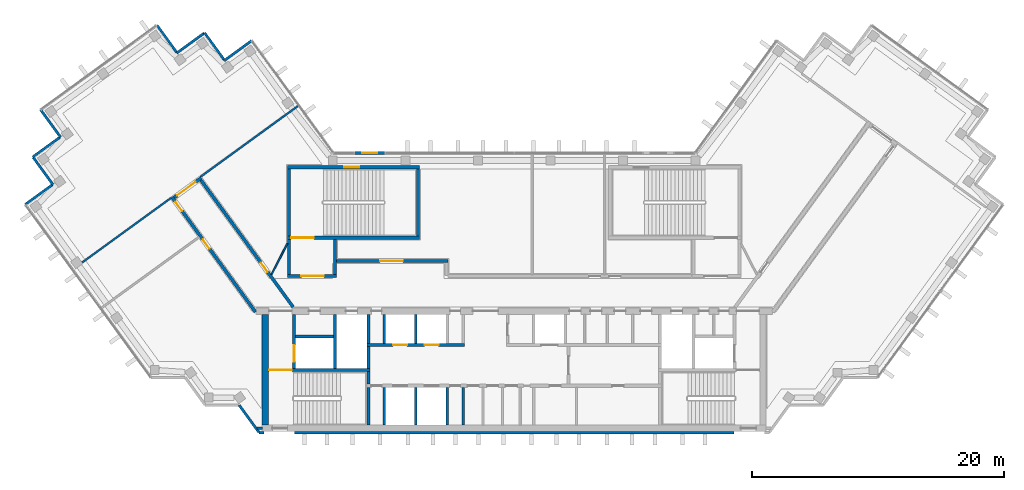
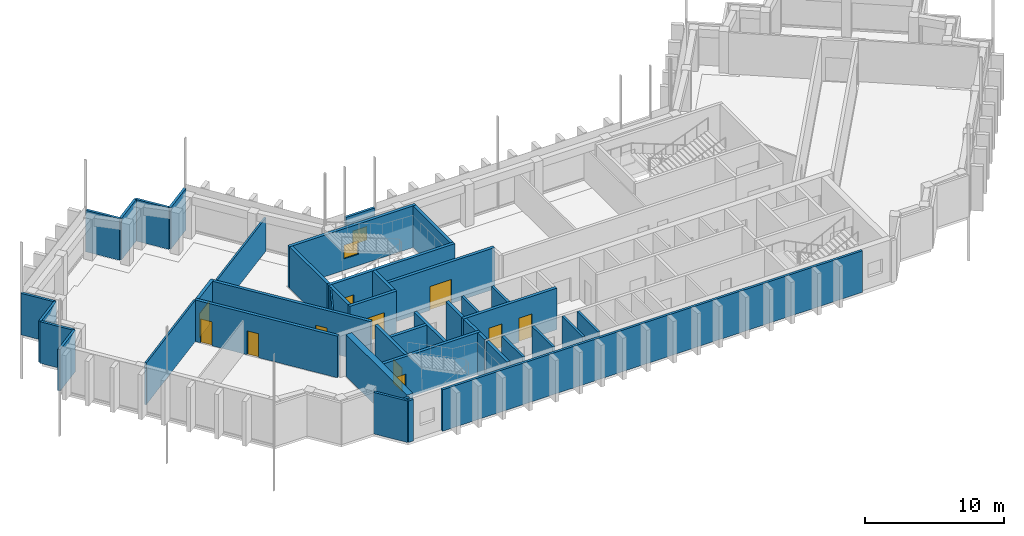
# One storey, part 8 of 13: 43 walls, 11 doors, 2 windows, 13 openings.
"""IFC4 building model written with IfcOpenShell, lengths in metres."""

from ifc_helpers import new_model, si_unit, direction, frame, frame_2d, origin, place, context, subcontext, project, spatial, rectangle, extrude, material, layer, layer_set, type_object, element, fill, save


model = new_model("IFC4")

# Units and contexts
model_context = context("Model", 3, precision=1e-05, world=origin(), true_north=direction((0.0, 1.0)))
body_context = subcontext(model_context, "Body", "Model", "MODEL_VIEW")
ifc_project = project(units=[si_unit("LENGTHUNIT", "METRE"), si_unit("AREAUNIT", "SQUARE_METRE"), si_unit("VOLUMEUNIT", "CUBIC_METRE"), si_unit("PLANEANGLEUNIT", "RADIAN"), si_unit("MASSUNIT", "GRAM", prefix="KILO")], contexts=[model_context])

# Site, building, storey
site_placement = place(None, origin())
site = spatial("IfcSite", under=ifc_project, at=site_placement, CompositionType="ELEMENT")
building_placement = place(site_placement, origin())
building = spatial("IfcBuilding", under=site, at=building_placement, Name="Quipu Civic Tower", CompositionType="ELEMENT")
storey_placement = place(building_placement, frame((0.0, 0.0, 285.0)))
storey = spatial("IfcBuildingStorey", under=building, at=storey_placement, Name="L66", CompositionType="ELEMENT", Elevation=285.0)

# Walls
ifc_material_1 = material(Name="Double gypsum plasterboard with mineral wool")
ifc_layer_1 = layer(ifc_material_1, 0.14990234375)
ifc_layer_set_1 = layer_set([ifc_layer_1], Name="Double gypsum plasterboard with mineral wool")
wall_type_1 = type_object("IfcWallType", Name="Acoustic partition 150 plasterboard", PredefinedType="PARTITIONING", material=ifc_layer_set_1)
wall_1_placement = place(storey_placement, frame((-17.17236328125, 14.822509765625, 0.0), z_axis=(0.0, 0.0, 1.0), x_axis=(-0.809013490065, -0.587790075531, 0.0)))
element("IfcWall", 1, at=wall_1_placement, inside=storey, type_object=wall_type_1, Name="Partition P02", PredefinedType="PARTITIONING", context=body_context, shape_type="SweptSolid", body=[
    extrude(rectangle(XDim=9.54931640625, YDim=0.14990234375, at=frame_2d((4.774658203125, 0.0))), origin(), (0.0, 0.0, 1.0), 2.949951171875),
])
wall_2_placement = place(storey_placement, frame((-34.291015625, 2.41015625, 0.0), z_axis=(0.0, 0.0, 1.0), x_axis=(0.809027940177, 0.587770186393, 0.0)))
element("IfcWall", 2, at=wall_2_placement, inside=storey, type_object=wall_type_1, Name="Partition P06", PredefinedType="PARTITIONING", context=body_context, shape_type="SweptSolid", body=[
    extrude(rectangle(XDim=8.71484375, YDim=0.14990234375, at=frame_2d((4.357421875, 0.0))), origin(), (0.0, 0.0, 1.0), 3.64990234375),
])
ifc_material_2 = material(Name="Concrete C70/85", Category="concrete")
ifc_layer_2 = layer(ifc_material_2, 0.25)
ifc_layer_set_2 = layer_set([ifc_layer_2], Name="Concrete C70/85")
wall_type_2 = type_object("IfcWallType", Name="Core wall 250", PredefinedType="SHEAR", material=ifc_layer_set_2)
wall_3_placement = place(storey_placement, frame((-11.574951171875, -10.5, 0.0), z_axis=(0.0, 0.0, 1.0), x_axis=(0.0, 1.0, 0.0)))
element("IfcWall", 3, at=wall_3_placement, inside=storey, type_object=wall_type_2, Name="Core wall", PredefinedType="SHEAR", context=body_context, shape_type="SweptSolid", body=[
    extrude(rectangle(XDim=3.0, YDim=0.25, at=frame_2d((1.5, 0.0))), origin(), (0.0, 0.0, 1.0), 3.64990234375),
])
wall_4_placement = place(storey_placement, frame((-11.574951171875, -7.25, 0.0), z_axis=(0.0, 0.0, 1.0), x_axis=(0.0, 1.0, 0.0)))
element("IfcWall", 4, at=wall_4_placement, inside=storey, type_object=wall_type_2, Name="Core wall", PredefinedType="SHEAR", context=body_context, shape_type="SweptSolid", body=[
    extrude(rectangle(XDim=1.0, YDim=0.25, at=frame_2d((0.5, 0.0))), origin(), (0.0, 0.0, 1.0), 3.64990234375),
])

# Wall, opening, door
wall_5_placement = place(storey_placement, frame((-11.449951171875, -6.125, 0.0), z_axis=(0.0, 0.0, 1.0), x_axis=(-1.0, 0.0, 0.0)))
wall_5 = element("IfcWall", 5, at=wall_5_placement, inside=storey, type_object=wall_type_2, Name="Core wall", PredefinedType="SHEAR", context=body_context, shape_type="SweptSolid", body=[
    extrude(rectangle(XDim=8.050048828125, YDim=0.25, at=frame_2d((4.02490234375, 0.0))), origin(), (0.0, 0.0, 1.0), 3.64990234375),
])
opening_1_placement = place(wall_5_placement, frame((6.199951171875, 0.0, 0.0)))
opening_1 = element("IfcOpeningElement", 6, at=opening_1_placement, cuts=wall_5, Name="Opening CD-09", PredefinedType="OPENING", context=body_context, shape_type="SweptSolid", body=[
    extrude(rectangle(XDim=1.800048828125, YDim=2.10009765625, at=frame_2d((0.89990234375, 1.050048828125))), frame((0.0, 0.135009765625, 0.0), z_axis=(0.0, -1.0, 0.0), x_axis=(1.0, 0.0, 0.0)), (0.0, 0.0, 1.0), 0.27001953125),
])
ifc_material_3 = material(Name="Fire rated steel door", Category="steel")
door_type_1 = type_object("IfcDoorType", Name="Fire door FD90 double 1800 x 2100", OperationType="NOTDEFINED", PredefinedType="DOOR", material=ifc_material_3)
door_1_placement = place(opening_1_placement, origin())
door_1 = element("IfcDoor", 7, at=door_1_placement, inside=storey, type_object=door_type_1, Name="Door", OperationType="DOUBLE_DOOR_SINGLE_SWING", OverallHeight=2.10009765625, OverallWidth=1.800048828125, PredefinedType="DOOR", context=body_context, shape_type="SweptSolid", body=[
    extrude(rectangle(XDim=1.800048828125, YDim=2.10009765625, at=frame_2d((0.89990234375, 1.050048828125))), frame((0.0, 0.02490234375, 0.0), z_axis=(0.0, -1.0, 0.0), x_axis=(1.0, 0.0, 0.0)), (0.0, 0.0, 1.0), 0.050048828125),
])
fill(opening_1, door_1)

wall_6_placement = place(storey_placement, frame((-17.47509765625, -6.0, 0.0), z_axis=(0.0, 0.0, 1.0), x_axis=(0.0, 1.0, 0.0)))
wall_6 = element("IfcWall", 8, at=wall_6_placement, inside=storey, type_object=wall_type_2, Name="Core wall", PredefinedType="SHEAR", context=body_context, shape_type="SweptSolid", body=[
    extrude(rectangle(XDim=4.300048828125, YDim=0.25, at=frame_2d((2.14990234375, 0.0))), origin(), (0.0, 0.0, 1.0), 3.64990234375),
])
opening_2_placement = place(wall_6_placement, frame((0.550048828125, 0.0, 0.0)))
opening_2 = element("IfcOpeningElement", 9, at=opening_2_placement, cuts=wall_6, Name="Opening LD-FF1", PredefinedType="OPENING", context=body_context, shape_type="SweptSolid", body=[
    extrude(rectangle(XDim=1.300048828125, YDim=2.10009765625, at=frame_2d((0.64990234375, 1.050048828125))), frame((0.0, 0.135009765625, 0.0), z_axis=(0.0, -1.0, 0.0), x_axis=(1.0, 0.0, 0.0)), (0.0, 0.0, 1.0), 0.27001953125),
])
ifc_material_4 = material(Name="Stainless steel", Category="steel")
door_type_2 = type_object("IfcDoorType", Name="Lift landing door 1300 x 2100", OperationType="DOUBLE_DOOR_SLIDING", PredefinedType="DOOR", material=ifc_material_4)
door_2_placement = place(opening_2_placement, origin())
door_2 = element("IfcDoor", 10, at=door_2_placement, inside=storey, type_object=door_type_2, Name="Landing door FF1", OperationType="DOUBLE_DOOR_SLIDING", OverallHeight=2.10009765625, OverallWidth=1.300048828125, PredefinedType="DOOR", context=body_context, shape_type="SweptSolid", body=[
    extrude(rectangle(XDim=1.300048828125, YDim=2.10009765625, at=frame_2d((0.64990234375, 1.050048828125))), frame((0.0, 0.02490234375, 0.0), z_axis=(0.0, -1.0, 0.0), x_axis=(1.0, 0.0, 0.0)), (0.0, 0.0, 1.0), 0.050048828125),
])
fill(opening_2, door_2)

# Walls
wall_7_placement = place(storey_placement, frame((-14.22509765625, -6.0, 0.0), z_axis=(0.0, 0.0, 1.0), x_axis=(0.0, 1.0, 0.0)))
element("IfcWall", 11, at=wall_7_placement, inside=storey, type_object=wall_type_2, Name="Core wall", PredefinedType="SHEAR", context=body_context, shape_type="SweptSolid", body=[
    extrude(rectangle(XDim=4.300048828125, YDim=0.25, at=frame_2d((2.14990234375, 0.0))), origin(), (0.0, 0.0, 1.0), 3.64990234375),
])
wall_8_placement = place(storey_placement, frame((-11.574951171875, -6.0, 0.0), z_axis=(0.0, 0.0, 1.0), x_axis=(0.0, 1.0, 0.0)))
element("IfcWall", 12, at=wall_8_placement, inside=storey, type_object=wall_type_2, Name="Core wall", PredefinedType="SHEAR", context=body_context, shape_type="SweptSolid", body=[
    extrude(rectangle(XDim=1.75, YDim=0.25, at=frame_2d((0.875, 0.0))), origin(), (0.0, 0.0, 1.0), 3.64990234375),
])

# Wall, openings, doors
wall_9_placement = place(storey_placement, frame((-11.699951171875, -4.125, 0.0), z_axis=(0.0, 0.0, 1.0), x_axis=(1.0, 0.0, 0.0)))
wall_9 = element("IfcWall", 13, at=wall_9_placement, inside=storey, type_object=wall_type_2, Name="Core wall", PredefinedType="SHEAR", context=body_context, shape_type="SweptSolid", body=[
    extrude(rectangle(XDim=7.75, YDim=0.25, at=frame_2d((3.875, 0.0))), origin(), (0.0, 0.0, 1.0), 3.64990234375),
])
opening_3_placement = place(wall_9_placement, frame((2.10009765625, 0.0, 0.0)))
opening_3 = element("IfcOpeningElement", 14, at=opening_3_placement, cuts=wall_9, Name="Opening LD-HL3", PredefinedType="OPENING", context=body_context, shape_type="SweptSolid", body=[
    extrude(rectangle(XDim=1.10009765625, YDim=2.10009765625, at=frame_2d((0.550048828125, 1.050048828125))), frame((0.0, 0.135009765625, 0.0), z_axis=(0.0, -1.0, 0.0), x_axis=(1.0, 0.0, 0.0)), (0.0, 0.0, 1.0), 0.27001953125),
])
opening_4_placement = place(wall_9_placement, frame((4.60009765625, 0.0, 0.0)))
opening_4 = element("IfcOpeningElement", 15, at=opening_4_placement, cuts=wall_9, Name="Opening LD-HL4", PredefinedType="OPENING", context=body_context, shape_type="SweptSolid", body=[
    extrude(rectangle(XDim=1.10009765625, YDim=2.10009765625, at=frame_2d((0.550048828125, 1.050048828125))), frame((0.0, 0.135009765625, 0.0), z_axis=(0.0, -1.0, 0.0), x_axis=(1.0, 0.0, 0.0)), (0.0, 0.0, 1.0), 0.27001953125),
])
ifc_material_5 = material(Name="Stainless steel", Category="steel")
door_type_3 = type_object("IfcDoorType", Name="Lift landing door 1100 x 2100", OperationType="DOUBLE_DOOR_SLIDING", PredefinedType="DOOR", material=ifc_material_5)
door_3_placement = place(opening_3_placement, origin())
door_3 = element("IfcDoor", 16, at=door_3_placement, inside=storey, type_object=door_type_3, Name="Landing door HL3", OperationType="DOUBLE_DOOR_SLIDING", OverallHeight=2.10009765625, OverallWidth=1.10009765625, PredefinedType="DOOR", context=body_context, shape_type="SweptSolid", body=[
    extrude(rectangle(XDim=1.10009765625, YDim=2.10009765625, at=frame_2d((0.550048828125, 1.050048828125))), frame((0.0, 0.02490234375, 0.0), z_axis=(0.0, -1.0, 0.0), x_axis=(1.0, 0.0, 0.0)), (0.0, 0.0, 1.0), 0.050048828125),
])
fill(opening_3, door_3)
door_4_placement = place(opening_4_placement, origin())
door_4 = element("IfcDoor", 17, at=door_4_placement, inside=storey, type_object=door_type_3, Name="Landing door HL4", OperationType="DOUBLE_DOOR_SLIDING", OverallHeight=2.10009765625, OverallWidth=1.10009765625, PredefinedType="DOOR", context=body_context, shape_type="SweptSolid", body=[
    extrude(rectangle(XDim=1.10009765625, YDim=2.10009765625, at=frame_2d((0.550048828125, 1.050048828125))), frame((0.0, 0.02490234375, 0.0), z_axis=(0.0, -1.0, 0.0), x_axis=(1.0, 0.0, 0.0)), (0.0, 0.0, 1.0), 0.050048828125),
])
fill(opening_4, door_4)

# Walls
wall_10_placement = place(storey_placement, frame((-11.574951171875, -4.0, 0.0), z_axis=(0.0, 0.0, 1.0), x_axis=(0.0, 1.0, 0.0)))
element("IfcWall", 18, at=wall_10_placement, inside=storey, type_object=wall_type_2, Name="Core wall", PredefinedType="SHEAR", context=body_context, shape_type="SweptSolid", body=[
    extrude(rectangle(XDim=2.300048828125, YDim=0.25, at=frame_2d((1.14990234375, 0.0))), origin(), (0.0, 0.0, 1.0), 3.64990234375),
])
wall_11_placement = place(storey_placement, frame((-17.35009765625, -3.47509765625, 0.0), z_axis=(0.0, 0.0, 1.0), x_axis=(1.0, 0.0, 0.0)))
element("IfcWall", 19, at=wall_11_placement, inside=storey, type_object=wall_type_2, Name="Core wall", PredefinedType="SHEAR", context=body_context, shape_type="SweptSolid", body=[
    extrude(rectangle(XDim=3.0, YDim=0.25, at=frame_2d((1.5, 0.0))), origin(), (0.0, 0.0, 1.0), 3.64990234375),
])

# Wall, opening, door
wall_12_placement = place(storey_placement, frame((-18.0, 1.324951171875, 0.0), z_axis=(0.0, 0.0, 1.0), x_axis=(1.0, 0.0, 0.0)))
wall_12 = element("IfcWall", 20, at=wall_12_placement, inside=storey, type_object=wall_type_2, Name="Core wall", PredefinedType="SHEAR", context=body_context, shape_type="SweptSolid", body=[
    extrude(rectangle(XDim=3.89990234375, YDim=0.25, at=frame_2d((1.949951171875, 0.0))), origin(), (0.0, 0.0, 1.0), 3.64990234375),
])
opening_5_placement = place(wall_12_placement, frame((1.10009765625, 0.0, 0.0)))
opening_5 = element("IfcOpeningElement", 21, at=opening_5_placement, cuts=wall_12, Name="Opening CD-27", PredefinedType="OPENING", context=body_context, shape_type="SweptSolid", body=[
    extrude(rectangle(XDim=1.800048828125, YDim=2.10009765625, at=frame_2d((0.89990234375, 1.050048828125))), frame((0.0, 0.135009765625, 0.0), z_axis=(0.0, -1.0, 0.0), x_axis=(1.0, 0.0, 0.0)), (0.0, 0.0, 1.0), 0.27001953125),
])
door_5_placement = place(opening_5_placement, origin())
door_5 = element("IfcDoor", 22, at=door_5_placement, inside=storey, type_object=door_type_1, Name="Lobby door", OperationType="DOUBLE_DOOR_SINGLE_SWING", OverallHeight=2.10009765625, OverallWidth=1.800048828125, PredefinedType="DOOR", context=body_context, shape_type="SweptSolid", body=[
    extrude(rectangle(XDim=1.800048828125, YDim=2.10009765625, at=frame_2d((0.89990234375, 1.050048828125))), frame((0.0, 0.02490234375, 0.0), z_axis=(0.0, -1.0, 0.0), x_axis=(1.0, 0.0, 0.0)), (0.0, 0.0, 1.0), 0.050048828125),
])
fill(opening_5, door_5)

# Walls
for number, where, z_axis, x_axis, name in (
    (23, (-17.875, 1.449951171875, 0.0), (0.0, 0.0, 1.0), (0.0, 1.0, 0.0), "Core wall"),
    (24, (-14.22509765625, 1.449951171875, 0.0), (0.0, 0.0, 1.0), (0.0, 1.0, 0.0), "Core wall"),
):
    element("IfcWall", number, at=place(storey_placement, frame(where, z_axis=z_axis, x_axis=x_axis)), inside=storey, type_object=wall_type_2, Name=name, PredefinedType="SHEAR", context=body_context, shape_type="SweptSolid", body=[
        extrude(rectangle(XDim=2.800048828125, YDim=0.25, at=frame_2d((1.39990234375, 0.0))), origin(), (0.0, 0.0, 1.0), 3.64990234375),
    ])

# Wall, opening, door
wall_13_placement = place(storey_placement, frame((-18.0, 4.375, 0.0), z_axis=(0.0, 0.0, 1.0), x_axis=(1.0, 0.0, 0.0)))
wall_13 = element("IfcWall", 25, at=wall_13_placement, inside=storey, type_object=wall_type_2, Name="Core wall", PredefinedType="SHEAR", context=body_context, shape_type="SweptSolid", body=[
    extrude(rectangle(XDim=10.5, YDim=0.25, at=frame_2d((5.25, 0.0))), origin(), (0.0, 0.0, 1.0), 3.64990234375),
])
opening_6_placement = place(wall_13_placement, frame((0.300048828125, 0.0, 0.0)))
opening_6 = element("IfcOpeningElement", 26, at=opening_6_placement, cuts=wall_13, Name="Opening CD-28", PredefinedType="OPENING", context=body_context, shape_type="SweptSolid", body=[
    extrude(rectangle(XDim=1.800048828125, YDim=2.10009765625, at=frame_2d((0.89990234375, 1.050048828125))), frame((0.0, 0.135009765625, 0.0), z_axis=(0.0, -1.0, 0.0), x_axis=(1.0, 0.0, 0.0)), (0.0, 0.0, 1.0), 0.27001953125),
])
door_6_placement = place(opening_6_placement, origin())
door_6 = element("IfcDoor", 27, at=door_6_placement, inside=storey, type_object=door_type_1, Name="Door", OperationType="DOUBLE_DOOR_SINGLE_SWING", OverallHeight=2.10009765625, OverallWidth=1.800048828125, PredefinedType="DOOR", context=body_context, shape_type="SweptSolid", body=[
    extrude(rectangle(XDim=1.800048828125, YDim=2.10009765625, at=frame_2d((0.89990234375, 1.050048828125))), frame((0.0, 0.02490234375, 0.0), z_axis=(0.0, -1.0, 0.0), x_axis=(1.0, 0.0, 0.0)), (0.0, 0.0, 1.0), 0.050048828125),
])
fill(opening_6, door_6)

# Walls
for number, where, z_axis, x_axis, name in (
    (28, (-17.875, 4.5, 0.0), (0.0, 0.0, 1.0), (0.0, 1.0, 0.0), "Core wall"),
    (29, (-7.625, 4.5, 0.0), (0.0, 0.0, 1.0), (0.0, 1.0, 0.0), "Core wall"),
):
    element("IfcWall", number, at=place(storey_placement, frame(where, z_axis=z_axis, x_axis=x_axis)), inside=storey, type_object=wall_type_2, Name=name, PredefinedType="SHEAR", context=body_context, shape_type="SweptSolid", body=[
        extrude(rectangle(XDim=5.35009765625, YDim=0.25, at=frame_2d((2.675048828125, 0.0))), origin(), (0.0, 0.0, 1.0), 3.64990234375),
    ])

# Wall, opening, window
wall_14_placement = place(storey_placement, frame((-18.0, 9.97509765625, 0.0), z_axis=(0.0, 0.0, 1.0), x_axis=(1.0, 0.0, 0.0)))
wall_14 = element("IfcWall", 30, at=wall_14_placement, inside=storey, type_object=wall_type_2, Name="Core wall", PredefinedType="SHEAR", context=body_context, shape_type="SweptSolid", body=[
    extrude(rectangle(XDim=10.5, YDim=0.25, at=frame_2d((5.25, 0.0))), origin(), (0.0, 0.0, 1.0), 3.64990234375),
])
opening_7_placement = place(wall_14_placement, frame((4.5, 0.0, 1.0)))
opening_7 = element("IfcOpeningElement", 31, at=opening_7_placement, cuts=wall_14, Name="Opening SV-3", PredefinedType="OPENING", context=body_context, shape_type="SweptSolid", body=[
    extrude(rectangle(XDim=1.199951171875, YDim=1.199951171875, at=frame_2d((0.60009765625, 0.60009765625))), frame((0.0, 0.135009765625, 0.0), z_axis=(0.0, -1.0, 0.0), x_axis=(1.0, 0.0, 0.0)), (0.0, 0.0, 1.0), 0.27001953125),
])
ifc_material_6 = material(Name="Aluminium louvre", Category="aluminium")
window_type_1 = type_object("IfcWindowType", Name="Stair ventilation louvre 1200 x 1200", PartitioningType="SINGLE_PANEL", PredefinedType="WINDOW", material=ifc_material_6)
window_1_placement = place(opening_7_placement, origin())
window_1 = element("IfcWindow", 32, at=window_1_placement, inside=storey, type_object=window_type_1, Name="Stair ventilation opening", OverallHeight=1.199951171875, OverallWidth=1.199951171875, PartitioningType="SINGLE_PANEL", PredefinedType="WINDOW", context=body_context, shape_type="SweptSolid", body=[
    extrude(rectangle(XDim=1.199951171875, YDim=1.199951171875, at=frame_2d((0.60009765625, 0.60009765625))), frame((0.0, 0.030029296875, 0.0), z_axis=(0.0, -1.0, 0.0), x_axis=(1.0, 0.0, 0.0)), (0.0, 0.0, 1.0), 0.06005859375),
])
fill(opening_7, window_1)

# Wall
ifc_material_7 = material(Name="Concrete C70/85", Category="concrete")
ifc_layer_3 = layer(ifc_material_7, 0.5)
ifc_layer_set_3 = layer_set([ifc_layer_3], Name="Concrete C70/85")
wall_type_3 = type_object("IfcWallType", Name="Core wall 500", PredefinedType="SHEAR", material=ifc_layer_set_3)
wall_15_placement = place(storey_placement, frame((-19.75, -10.5, 0.0), z_axis=(0.0, 0.0, 1.0), x_axis=(0.0, 1.0, 0.0)))
element("IfcWall", 33, at=wall_15_placement, inside=storey, type_object=wall_type_3, Name="Core wall", PredefinedType="SHEAR", context=body_context, shape_type="SweptSolid", body=[
    extrude(rectangle(XDim=8.800048828125, YDim=0.5, at=frame_2d((4.39990234375, 0.0))), origin(), (0.0, 0.0, 1.0), 3.64990234375),
])

# Wall, openings, doors
ifc_material_8 = material(Name="Concrete C50/60", Category="concrete")
ifc_layer_4 = layer(ifc_material_8, 0.25)
ifc_layer_set_4 = layer_set([ifc_layer_4], Name="Concrete C50/60")
wall_type_4 = type_object("IfcWallType", Name="Corridor wall 250 concrete", PredefinedType="SOLIDWALL", material=ifc_layer_set_4)
wall_16_placement = place(storey_placement, frame((-20.531005859375, -1.5234375, 0.0), z_axis=(0.0, 0.0, 1.0), x_axis=(-0.587782646447, 0.809018887626, 0.0)))
wall_16 = element("IfcWall", 34, at=wall_16_placement, inside=storey, type_object=wall_type_4, Name="Corridor wall C04", PredefinedType="SOLIDWALL", context=body_context, shape_type="SweptSolid", body=[
    extrude(rectangle(XDim=11.270263671875, YDim=0.25, at=frame_2d((5.63525390625, 0.0))), origin(), (0.0, 0.0, 1.0), 3.64990234375),
])
opening_8_placement = place(wall_16_placement, frame((6.2158203125, 0.0, 0.0)))
opening_8 = element("IfcOpeningElement", 35, at=opening_8_placement, cuts=wall_16, Name="Opening D009", PredefinedType="OPENING", context=body_context, shape_type="SweptSolid", body=[
    extrude(rectangle(XDim=0.89990234375, YDim=2.10009765625, at=frame_2d((0.449951171875, 1.050048828125))), frame((0.0, 0.135009765625, 0.0), z_axis=(0.0, -1.0, 0.0), x_axis=(1.0, 0.0, 0.0)), (0.0, 0.0, 1.0), 0.27001953125),
])
opening_9_placement = place(wall_16_placement, frame((9.895751953125, 0.0, 0.0)))
opening_9 = element("IfcOpeningElement", 36, at=opening_9_placement, cuts=wall_16, Name="Opening D008", PredefinedType="OPENING", context=body_context, shape_type="SweptSolid", body=[
    extrude(rectangle(XDim=0.89990234375, YDim=2.10009765625, at=frame_2d((0.449951171875, 1.050048828125))), frame((0.0, 0.135009765625, 0.0), z_axis=(0.0, -1.0, 0.0), x_axis=(1.0, 0.0, 0.0)), (0.0, 0.0, 1.0), 0.27001953125),
])
ifc_material_9 = material(Name="Fire rated timber door set with metal frame", Category="wood")
door_type_4 = type_object("IfcDoorType", Name="Single door 900 x 2100 FD60", OperationType="NOTDEFINED", PredefinedType="DOOR", material=ifc_material_9)
door_7_placement = place(opening_8_placement, origin())
door_7 = element("IfcDoor", 37, at=door_7_placement, inside=storey, type_object=door_type_4, Name="Door D009", OperationType="SINGLE_SWING_RIGHT", OverallHeight=2.10009765625, OverallWidth=0.89990234375, PredefinedType="DOOR", context=body_context, shape_type="SweptSolid", body=[
    extrude(rectangle(XDim=0.89990234375, YDim=2.10009765625, at=frame_2d((0.449951171875, 1.050048828125))), frame((0.0, 0.02490234375, 0.0), z_axis=(0.0, -1.0, 0.0), x_axis=(1.0, 0.0, 0.0)), (0.0, 0.0, 1.0), 0.050048828125),
])
fill(opening_8, door_7)
door_8_placement = place(opening_9_placement, origin())
door_8 = element("IfcDoor", 38, at=door_8_placement, inside=storey, type_object=door_type_4, Name="Door D008", OperationType="SINGLE_SWING_RIGHT", OverallHeight=2.10009765625, OverallWidth=0.89990234375, PredefinedType="DOOR", context=body_context, shape_type="SweptSolid", body=[
    extrude(rectangle(XDim=0.89990234375, YDim=2.10009765625, at=frame_2d((0.449951171875, 1.050048828125))), frame((0.0, 0.02490234375, 0.0), z_axis=(0.0, -1.0, 0.0), x_axis=(1.0, 0.0, 0.0)), (0.0, 0.0, 1.0), 0.050048828125),
])
fill(opening_9, door_8)

# Wall, opening, door
wall_17_placement = place(storey_placement, frame((-26.98095703125, 7.56689453125, 0.0), z_axis=(0.0, 0.0, 1.0), x_axis=(0.809038743598, 0.587755315891, 0.0)))
wall_17 = element("IfcWall", 39, at=wall_17_placement, inside=storey, type_object=wall_type_4, Name="Corridor wall C05", PredefinedType="SOLIDWALL", context=body_context, shape_type="SweptSolid", body=[
    extrude(rectangle(XDim=2.650146484375, YDim=0.25, at=frame_2d((1.3251953125, 0.0))), origin(), (0.0, 0.0, 1.0), 3.64990234375),
])
opening_10_placement = place(wall_17_placement, frame((0.299560546875, 0.0, 0.0)))
opening_10 = element("IfcOpeningElement", 40, at=opening_10_placement, cuts=wall_17, Name="Opening D010", PredefinedType="OPENING", context=body_context, shape_type="SweptSolid", body=[
    extrude(rectangle(XDim=1.800048828125, YDim=2.10009765625, at=frame_2d((0.89990234375, 1.050048828125))), frame((0.0, 0.135009765625, 0.0), z_axis=(0.0, -1.0, 0.0), x_axis=(1.0, 0.0, 0.0)), (0.0, 0.0, 1.0), 0.27001953125),
])
ifc_material_10 = material(Name="Fire rated timber door set with metal frame", Category="wood")
door_type_5 = type_object("IfcDoorType", Name="Double door 1800 x 2100 FD60", OperationType="DOUBLE_DOOR_SINGLE_SWING", PredefinedType="DOOR", material=ifc_material_10)
door_9_placement = place(opening_10_placement, origin())
door_9 = element("IfcDoor", 41, at=door_9_placement, inside=storey, type_object=door_type_5, Name="Door D010", OperationType="DOUBLE_DOOR_SINGLE_SWING", OverallHeight=2.10009765625, OverallWidth=1.800048828125, PredefinedType="DOOR", context=body_context, shape_type="SweptSolid", body=[
    extrude(rectangle(XDim=1.800048828125, YDim=2.10009765625, at=frame_2d((0.89990234375, 1.050048828125))), frame((0.0, 0.02490234375, 0.0), z_axis=(0.0, -1.0, 0.0), x_axis=(1.0, 0.0, 0.0)), (0.0, 0.0, 1.0), 0.050048828125),
])
fill(opening_10, door_9)

wall_18_placement = place(storey_placement, frame((-24.86474609375, 8.949951171875, 0.0), z_axis=(0.0, 0.0, 1.0), x_axis=(0.587791617212, -0.809012369952, 0.0)))
wall_18 = element("IfcWall", 42, at=wall_18_placement, inside=storey, type_object=wall_type_4, Name="Corridor wall C06", PredefinedType="SOLIDWALL", context=body_context, shape_type="SweptSolid", body=[
    extrude(rectangle(XDim=12.453125, YDim=0.25, at=frame_2d((6.2265625, 0.0))), origin(), (0.0, 0.0, 1.0), 3.64990234375),
])
opening_11_placement = place(wall_18_placement, frame((8.111572265625, 0.0, 0.0)))
opening_11 = element("IfcOpeningElement", 43, at=opening_11_placement, cuts=wall_18, Name="Opening D007", PredefinedType="OPENING", context=body_context, shape_type="SweptSolid", body=[
    extrude(rectangle(XDim=0.89990234375, YDim=2.10009765625, at=frame_2d((0.449951171875, 1.050048828125))), frame((0.0, 0.135009765625, 0.0), z_axis=(0.0, -1.0, 0.0), x_axis=(1.0, 0.0, 0.0)), (0.0, 0.0, 1.0), 0.27001953125),
])
door_10_placement = place(opening_11_placement, origin())
door_10 = element("IfcDoor", 44, at=door_10_placement, inside=storey, type_object=door_type_4, Name="Door D007", OperationType="SINGLE_SWING_RIGHT", OverallHeight=2.10009765625, OverallWidth=0.89990234375, PredefinedType="DOOR", context=body_context, shape_type="SweptSolid", body=[
    extrude(rectangle(XDim=0.89990234375, YDim=2.10009765625, at=frame_2d((0.449951171875, 1.050048828125))), frame((0.0, 0.02490234375, 0.0), z_axis=(0.0, -1.0, 0.0), x_axis=(1.0, 0.0, 0.0)), (0.0, 0.0, 1.0), 0.050048828125),
])
fill(opening_11, door_10)

wall_19_placement = place(storey_placement, frame((-14.090087890625, 2.52490234375, 0.0), z_axis=(0.0, 0.0, 1.0), x_axis=(1.0, 0.0, 0.0)))
wall_19 = element("IfcWall", 45, at=wall_19_placement, inside=storey, type_object=wall_type_4, Name="Corridor wall C07", PredefinedType="SOLIDWALL", context=body_context, shape_type="SweptSolid", body=[
    extrude(rectangle(XDim=8.840087890625, YDim=0.25, at=frame_2d((4.419921875, 0.0))), origin(), (0.0, 0.0, 1.0), 3.64990234375),
])
opening_12_placement = place(wall_19_placement, frame((3.452880859375, 0.0, 0.0)))
opening_12 = element("IfcOpeningElement", 46, at=opening_12_placement, cuts=wall_19, Name="Opening D004", PredefinedType="OPENING", context=body_context, shape_type="SweptSolid", body=[
    extrude(rectangle(XDim=1.800048828125, YDim=2.10009765625, at=frame_2d((0.89990234375, 1.050048828125))), frame((0.0, 0.135009765625, 0.0), z_axis=(0.0, -1.0, 0.0), x_axis=(1.0, 0.0, 0.0)), (0.0, 0.0, 1.0), 0.27001953125),
])
door_11_placement = place(opening_12_placement, origin())
door_11 = element("IfcDoor", 47, at=door_11_placement, inside=storey, type_object=door_type_5, Name="Door D004", OperationType="DOUBLE_DOOR_SINGLE_SWING", OverallHeight=2.10009765625, OverallWidth=1.800048828125, PredefinedType="DOOR", context=body_context, shape_type="SweptSolid", body=[
    extrude(rectangle(XDim=1.800048828125, YDim=2.10009765625, at=frame_2d((0.89990234375, 1.050048828125))), frame((0.0, 0.02490234375, 0.0), z_axis=(0.0, -1.0, 0.0), x_axis=(1.0, 0.0, 0.0)), (0.0, 0.0, 1.0), 0.050048828125),
])
fill(opening_12, door_11)

# Walls
ifc_material_11 = material(Name="Gypsum plasterboard on light gauge framing")
ifc_layer_5 = layer(ifc_material_11, 0.1201171875)
ifc_layer_set_5 = layer_set([ifc_layer_5], Name="Gypsum plasterboard on light gauge framing")
wall_type_5 = type_object("IfcWallType", Name="Partition 120 plasterboard", PredefinedType="PARTITIONING", material=ifc_layer_set_5)
wall_20_placement = place(storey_placement, frame((-19.260986328125, 1.449951171875, 0.0), z_axis=(0.0, 0.0, 1.0), x_axis=(0.453950796792, 0.891026752736, 0.0)))
element("IfcWall", 48, at=wall_20_placement, inside=storey, type_object=wall_type_5, Name="Partition P09", PredefinedType="PARTITIONING", context=body_context, shape_type="SweptSolid", body=[
    extrude(rectangle(XDim=2.77783203125, YDim=0.1201171875, at=frame_2d((1.388916015625, 0.0))), origin(), (0.0, 0.0, 1.0), 3.64990234375),
])
ifc_material_12 = material(Name="Precast concrete C40/50", Category="concrete")
wall_type_6 = type_object("IfcWallType", Name="Precast cladding wall", PredefinedType="SOLIDWALL", material=ifc_material_12)
for number, where, z_axis, x_axis, name in (
    (49, (-20.828857421875, 20.025390625, 0.0), (0.0, 0.0, 1.0), (-0.808990163075, -0.587822180636, 0.0), "Precast cladding wall L66 P02"),
    (50, (-22.996337890625, 18.465576171875, 0.0), (0.0, 0.0, 1.0), (-0.587762999008, 0.809033161865, 0.0), "Precast cladding wall L66 P03"),
):
    element("IfcWall", number, at=place(storey_placement, frame(where, z_axis=z_axis, x_axis=x_axis)), inside=storey, type_object=wall_type_6, Name=name, PredefinedType="SOLIDWALL", context=body_context, shape_type="SweptSolid", body=[
        extrude(rectangle(XDim=2.699951171875, YDim=0.199951171875, at=frame_2d((1.35009765625, 0.0))), origin(), (0.0, 0.0, 1.0), 3.64990234375),
    ])
for number, where, z_axis, x_axis, name in (
    (51, (-24.60009765625, 20.62255859375, 0.0), (0.0, 0.0, 1.0), (-0.809064397168, -0.587720002413, 0.0), "Precast cladding wall L66 P04"),
    (52, (-26.767578125, 19.062744140625, 0.0), (0.0, 0.0, 1.0), (-0.587720002413, 0.809064397168, 0.0), "Precast cladding wall L66 P05"),
):
    element("IfcWall", number, at=place(storey_placement, frame(where, z_axis=z_axis, x_axis=x_axis)), inside=storey, type_object=wall_type_6, Name=name, PredefinedType="SOLIDWALL", context=body_context, shape_type="SweptSolid", body=[
        extrude(rectangle(XDim=2.7001953125, YDim=0.199951171875, at=frame_2d((1.35009765625, 0.0))), origin(), (0.0, 0.0, 1.0), 3.64990234375),
    ])
for number, where, z_axis, x_axis, name in (
    (53, (-37.591796875, 14.535888671875, 0.0), (0.0, 0.0, 1.0), (0.587762999008, -0.809033161865, 0.0), "Precast cladding wall L66 P07"),
    (54, (-36.031982421875, 12.36865234375, 0.0), (0.0, 0.0, 1.0), (-0.809033161865, -0.587762999008, 0.0), "Precast cladding wall L66 P08"),
    (55, (-38.189208984375, 10.7646484375, 0.0), (0.0, 0.0, 1.0), (0.587822180636, -0.808990163075, 0.0), "Precast cladding wall L66 P09"),
    (56, (-36.62939453125, 8.597412109375, 0.0), (0.0, 0.0, 1.0), (-0.809033161865, -0.587762999008, 0.0), "Precast cladding wall L66 P10"),
):
    element("IfcWall", number, at=place(storey_placement, frame(where, z_axis=z_axis, x_axis=x_axis)), inside=storey, type_object=wall_type_6, Name=name, PredefinedType="SOLIDWALL", context=body_context, shape_type="SweptSolid", body=[
        extrude(rectangle(XDim=2.699951171875, YDim=0.199951171875, at=frame_2d((1.35009765625, 0.0))), origin(), (0.0, 0.0, 1.0), 3.64990234375),
    ])
wall_21_placement = place(storey_placement, frame((-21.8330078125, -8.90869140625, 0.0), z_axis=(0.0, 0.0, 1.0), x_axis=(0.587766567315, -0.809030569476, 0.0)))
element("IfcWall", 57, at=wall_21_placement, inside=storey, type_object=wall_type_6, Name="Precast cladding wall L66 P15", PredefinedType="SOLIDWALL", context=body_context, shape_type="SweptSolid", body=[
    extrude(rectangle(XDim=2.687744140625, YDim=0.199951171875, at=frame_2d((1.34375, 0.0))), origin(), (0.0, 0.0, 1.0), 3.64990234375),
])
wall_22_placement = place(storey_placement, frame((-20.255859375, -11.087890625, 0.0), z_axis=(0.0, 0.0, 1.0), x_axis=(1.0, 0.0, 0.0)))
element("IfcWall", 58, at=wall_22_placement, inside=storey, type_object=wall_type_6, Name="Precast cladding wall L66 P16", PredefinedType="SOLIDWALL", context=body_context, shape_type="SweptSolid", body=[
    extrude(rectangle(XDim=0.40576171875, YDim=0.199951171875, at=frame_2d((0.202880859375, 0.0))), origin(), (0.0, 0.0, 1.0), 3.64990234375),
])
wall_23_placement = place(storey_placement, frame((-17.44384765625, -11.087890625, 0.0), z_axis=(0.0, 0.0, 1.0), x_axis=(1.0, 0.0, 0.0)))
element("IfcWall", 59, at=wall_23_placement, inside=storey, type_object=wall_type_6, Name="Precast cladding wall L66 P17", PredefinedType="SOLIDWALL", context=body_context, shape_type="SweptSolid", body=[
    extrude(rectangle(XDim=34.8876953125, YDim=0.199951171875, at=frame_2d((17.44384765625, 0.0))), origin(), (0.0, 0.0, 1.0), 3.64990234375),
])

# Wall, opening, window
wall_24_placement = place(storey_placement, frame((-10.263427734375, 11.10009765625, 0.0), z_axis=(0.0, 0.0, 1.0), x_axis=(-1.0, 0.0, 0.0)))
wall_24 = element("IfcWall", 60, at=wall_24_placement, inside=storey, type_object=wall_type_6, Name="Vent surround SF-L62-1", PredefinedType="SOLIDWALL", context=body_context, shape_type="SweptSolid", body=[
    extrude(rectangle(XDim=2.3916015625, YDim=0.199951171875, at=frame_2d((1.19580078125, 0.0))), origin(), (0.0, 0.0, 1.0), 3.64990234375),
])
opening_13_placement = place(wall_24_placement, frame((0.595703125, 0.0, 1.0)))
opening_13 = element("IfcOpeningElement", 61, at=opening_13_placement, cuts=wall_24, Name="Opening SF-L62-1", PredefinedType="OPENING", context=body_context, shape_type="SweptSolid", body=[
    extrude(rectangle(XDim=1.199951171875, YDim=1.199951171875, at=frame_2d((0.60009765625, 0.60009765625))), frame((0.0, 0.10986328125, 0.0), z_axis=(0.0, -1.0, 0.0), x_axis=(1.0, 0.0, 0.0)), (0.0, 0.0, 1.0), 0.219970703125),
])
ifc_material_13 = material(Name="Anodised aluminium louvre", Category="aluminium")
window_type_2 = type_object("IfcWindowType", Name="Stair vent louvre window P3", PartitioningType="SINGLE_PANEL", PredefinedType="WINDOW", material=ifc_material_13)
window_2_placement = place(opening_13_placement, origin())
window_2 = element("IfcWindow", 62, at=window_2_placement, inside=storey, type_object=window_type_2, Name="Stair vent louvre SF-L62-1", OverallHeight=1.199951171875, OverallWidth=1.199951171875, PartitioningType="SINGLE_PANEL", PredefinedType="WINDOW", context=body_context, shape_type="SweptSolid", body=[
    extrude(rectangle(XDim=1.199951171875, YDim=1.199951171875, at=frame_2d((0.60009765625, 0.60009765625))), frame((0.0, 0.030029296875, 0.0), z_axis=(0.0, -1.0, 0.0), x_axis=(1.0, 0.0, 0.0)), (0.0, 0.0, 1.0), 0.06005859375),
])
fill(opening_13, window_2)

# Walls
wall_25_placement = place(storey_placement, frame((-19.97998046875, -10.75, 0.0), z_axis=(0.0, 0.0, 1.0), x_axis=(-1.0, 0.0, 0.0)))
element("IfcWall", 63, at=wall_25_placement, inside=storey, type_object=wall_type_6, Name="Precast cladding return L66 W", PredefinedType="SOLIDWALL", context=body_context, shape_type="SweptSolid", body=[
    extrude(rectangle(XDim=0.41650390625, YDim=0.199951171875, at=frame_2d((0.208251953125, 0.0))), origin(), (0.0, 0.0, 1.0), 3.64990234375),
])
ifc_material_14 = material(Name="Concrete C40/50", Category="concrete")
ifc_layer_6 = layer(ifc_material_14, 0.199951171875)
ifc_layer_set_6 = layer_set([ifc_layer_6], Name="Concrete C40/50")
wall_type_7 = type_object("IfcWallType", Name="Shaft wall 200", PredefinedType="SOLIDWALL", material=ifc_layer_set_6)
for number, where, z_axis, x_axis, name in (
    (64, (-10.300048828125, -10.5, 0.0), (0.0, 0.0, 1.0), (0.0, 1.0, 0.0), "Shaft wall"),
    (65, (-7.800048828125, -10.5, 0.0), (0.0, 0.0, 1.0), (0.0, 1.0, 0.0), "Shaft wall"),
    (66, (-5.300048828125, -10.5, 0.0), (0.0, 0.0, 1.0), (0.0, 1.0, 0.0), "Shaft wall"),
    (67, (-4.050048828125, -10.5, 0.0), (0.0, 0.0, 1.0), (0.0, 1.0, 0.0), "Shaft wall"),
):
    element("IfcWall", number, at=place(storey_placement, frame(where, z_axis=z_axis, x_axis=x_axis)), inside=storey, type_object=wall_type_7, Name=name, PredefinedType="SOLIDWALL", context=body_context, shape_type="SweptSolid", body=[
        extrude(rectangle(XDim=3.0, YDim=0.199951171875, at=frame_2d((1.5, 0.0))), origin(), (0.0, 0.0, 1.0), 3.64990234375),
    ])
for number, where, z_axis, x_axis, name in (
    (68, (-10.300048828125, -4.0, 0.0), (0.0, 0.0, 1.0), (0.0, 1.0, 0.0), "Shaft wall"),
    (69, (-7.800048828125, -4.0, 0.0), (0.0, 0.0, 1.0), (0.0, 1.0, 0.0), "Shaft wall"),
):
    element("IfcWall", number, at=place(storey_placement, frame(where, z_axis=z_axis, x_axis=x_axis)), inside=storey, type_object=wall_type_7, Name=name, PredefinedType="SOLIDWALL", context=body_context, shape_type="SweptSolid", body=[
        extrude(rectangle(XDim=2.300048828125, YDim=0.199951171875, at=frame_2d((1.14990234375, 0.0))), origin(), (0.0, 0.0, 1.0), 3.64990234375),
    ])

save(model, "model.ifc")
